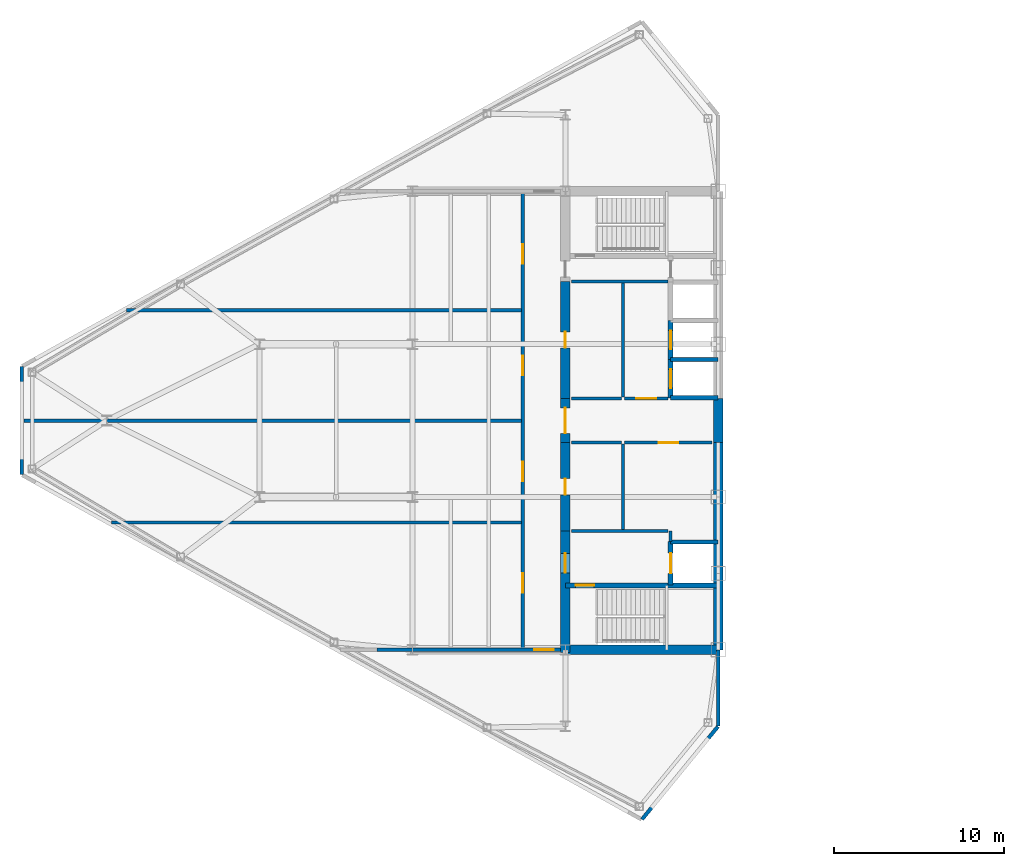
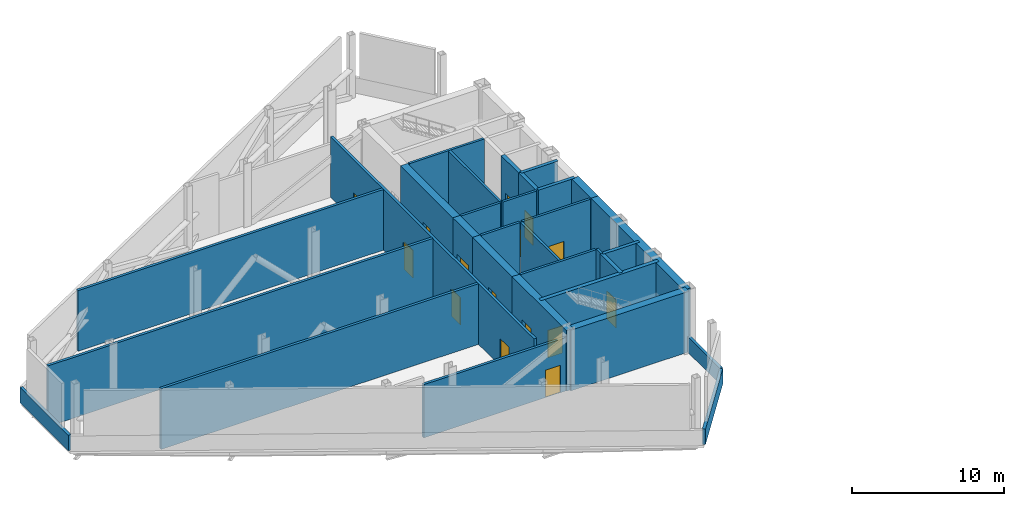
# One storey, part 6 of 11: 31 walls, 15 doors, 15 openings.
"""IFC4 building model written with IfcOpenShell, lengths in metres."""

from ifc_helpers import new_model, si_unit, direction, frame, frame_2d, origin, place, context, subcontext, project, spatial, rectangle, extrude, source, transform, mapped, material, layer, layer_set, type_object, type_shapes, element, fill, save


model = new_model("IFC4")

# Units and contexts
model_context = context("Model", 3, precision=1e-05, world=origin(), true_north=direction((0.0, 1.0)))
body_context = subcontext(model_context, "Body", "Model", "MODEL_VIEW")
ifc_project = project(units=[si_unit("LENGTHUNIT", "METRE"), si_unit("AREAUNIT", "SQUARE_METRE"), si_unit("VOLUMEUNIT", "CUBIC_METRE"), si_unit("PLANEANGLEUNIT", "RADIAN"), si_unit("MASSUNIT", "GRAM", prefix="KILO")], contexts=[model_context])

# Site, building, storey
site_placement = place(None, origin())
site = spatial("IfcSite", under=ifc_project, at=site_placement, CompositionType="ELEMENT")
building_placement = place(site_placement, origin())
building = spatial("IfcBuilding", under=site, at=building_placement, Name="Seokmaru Belvedere", CompositionType="ELEMENT")
storey_placement = place(building_placement, frame((0.0, 0.0, 162.0)))
storey = spatial("IfcBuildingStorey", under=building, at=storey_placement, Name="L43", CompositionType="ELEMENT", Elevation=162.0)

# Walls
ifc_material_1 = material(Name="Fire-Rated Gypsum Shaftwall")
ifc_layer_1 = layer(ifc_material_1, 0.179931640625)
ifc_layer_set_1 = layer_set([ifc_layer_1], Name="Fire-Rated Gypsum Shaftwall")
wall_type_1 = type_object("IfcWallType", Name="Core Service Fire Partition 180", PredefinedType="PARTITIONING", material=ifc_layer_set_1)
wall_1_placement = place(storey_placement, frame((-36.14990234375, -6.5, 0.0), z_axis=(0.0, 0.0, 1.0), x_axis=(1.0, 0.0, 0.0)))
element("IfcWall", 1, at=wall_1_placement, inside=storey, type_object=wall_type_1, Name="L43 West Firefighting Lobby Partition", PredefinedType="PARTITIONING", context=body_context, shape_type="SweptSolid", body=[
    extrude(rectangle(XDim=5.699951171875, YDim=0.179931640625, at=frame_2d((2.85009765625, 0.0))), origin(), (0.0, 0.0, 1.0), 4.8798828125),
])
wall_2_placement = place(storey_placement, frame((-30.300048828125, -7.1201171875, 0.0), z_axis=(0.0, 0.0, 1.0), x_axis=(0.0, 1.0, 0.0)))
element("IfcWall", 2, at=wall_2_placement, inside=storey, type_object=wall_type_1, Name="L43 West Firefighting Lobby East Closure Wall", PredefinedType="PARTITIONING", context=body_context, shape_type="SweptSolid", body=[
    extrude(rectangle(XDim=0.6201171875, YDim=0.179931640625, at=frame_2d((0.31005859375, 0.0))), origin(), (0.0, 0.0, 1.0), 4.8798828125),
])
wall_3_placement = place(storey_placement, frame((-36.14990234375, 8.199951171875, 0.0), z_axis=(0.0, 0.0, 1.0), x_axis=(1.0, 0.0, 0.0)))
element("IfcWall", 3, at=wall_3_placement, inside=storey, type_object=wall_type_1, Name="L43 West Smokeproof Vestibule Partition", PredefinedType="PARTITIONING", context=body_context, shape_type="SweptSolid", body=[
    extrude(rectangle(XDim=5.699951171875, YDim=0.179931640625, at=frame_2d((2.85009765625, 0.0))), origin(), (0.0, 0.0, 1.0), 4.8798828125),
])
wall_4_placement = place(storey_placement, frame((-33.10009765625, -6.419921875, 0.0), z_axis=(0.0, 0.0, 1.0), x_axis=(0.0, 1.0, 0.0)))
element("IfcWall", 4, at=wall_4_placement, inside=storey, type_object=wall_type_1, Name="L43 West South Core Service Back Wall", PredefinedType="PARTITIONING", context=body_context, shape_type="SweptSolid", body=[
    extrude(rectangle(XDim=5.0400390625, YDim=0.179931640625, at=frame_2d((2.52001953125, 0.0))), origin(), (0.0, 0.0, 1.0), 4.8798828125),
])
wall_5_placement = place(storey_placement, frame((-33.10009765625, 1.3798828125, 0.0), z_axis=(0.0, 0.0, 1.0), x_axis=(0.0, 1.0, 0.0)))
element("IfcWall", 5, at=wall_5_placement, inside=storey, type_object=wall_type_1, Name="L43 West North Core Service Back Wall", PredefinedType="PARTITIONING", context=body_context, shape_type="SweptSolid", body=[
    extrude(rectangle(XDim=6.740234375, YDim=0.179931640625, at=frame_2d((3.3701171875, 0.0))), origin(), (0.0, 0.0, 1.0), 4.8798828125),
])

# Wall, opening, door
wall_6_placement = place(storey_placement, frame((-33.02001953125, -1.300048828125, 0.0), z_axis=(0.0, 0.0, 1.0), x_axis=(1.0, 0.0, 0.0)))
wall_6 = element("IfcWall", 6, at=wall_6_placement, inside=storey, type_object=wall_type_1, Name="L43 West South Lift Lobby Foyer Wall", PredefinedType="PARTITIONING", context=body_context, shape_type="SweptSolid", body=[
    extrude(rectangle(XDim=5.169921875, YDim=0.179931640625, at=frame_2d((2.5849609375, 0.0))), origin(), (0.0, 0.0, 1.0), 4.8798828125),
])
opening_1_placement = place(wall_6_placement, frame((2.010009765625, 0.0, 0.0)))
opening_1 = element("IfcOpeningElement", 7, at=opening_1_placement, cuts=wall_6, Name="Opening D02", PredefinedType="OPENING", context=body_context, shape_type="SweptSolid", body=[
    extrude(rectangle(XDim=1.14990234375, YDim=2.199951171875, at=frame_2d((0.574951171875, 1.10009765625))), frame((0.0, 0.10009765625, 0.0), z_axis=(0.0, -1.0, 0.0), x_axis=(1.0, 0.0, 0.0)), (0.0, 0.0, 1.0), 0.199951171875),
])
ifc_material_2 = material(Name="Fire-Rated Steel Leaf", Category="steel")
door_type_1 = type_object("IfcDoorType", Name="Lobby and Vestibule Fire Door 1150x2200", OperationType="NOTDEFINED", PredefinedType="DOOR", material=ifc_material_2)
shared_shape_1 = source(origin(), body_context, "Body", "SweptSolid", [
    extrude(rectangle(XDim=1.14990234375, YDim=2.199951171875, at=frame_2d((0.574951171875, 1.10009765625))), frame((0.0, 0.02490234375, 0.0), z_axis=(0.0, -1.0, 0.0), x_axis=(1.0, 0.0, 0.0)), (0.0, 0.0, 1.0), 0.050048828125),
])
type_shapes(door_type_1, [shared_shape_1])
door_1_placement = place(opening_1_placement, origin())
door_1 = element("IfcDoor", 8, at=door_1_placement, inside=storey, type_object=door_type_1, Name="L43 West South Core Foyer Door", OperationType="SINGLE_SWING_LEFT", OverallHeight=2.199951171875, OverallWidth=1.14990234375, PredefinedType="DOOR", context=body_context, shape_type="MappedRepresentation", body=[
    mapped(shared_shape_1, transform((0.0, 0.0, 0.0), scale=1.0)),
])
fill(opening_1, door_1)

wall_7_placement = place(storey_placement, frame((-33.02001953125, 1.300048828125, 0.0), z_axis=(0.0, 0.0, 1.0), x_axis=(1.0, 0.0, 0.0)))
wall_7 = element("IfcWall", 9, at=wall_7_placement, inside=storey, type_object=wall_type_1, Name="L43 West North Lift Lobby Foyer Wall", PredefinedType="PARTITIONING", context=body_context, shape_type="SweptSolid", body=[
    extrude(rectangle(XDim=2.570068359375, YDim=0.179931640625, at=frame_2d((1.28515625, 0.0))), origin(), (0.0, 0.0, 1.0), 4.8798828125),
])
opening_2_placement = place(wall_7_placement, frame((0.7099609375, 0.0, 0.0)))
opening_2 = element("IfcOpeningElement", 10, at=opening_2_placement, cuts=wall_7, Name="Opening D02", PredefinedType="OPENING", context=body_context, shape_type="SweptSolid", body=[
    extrude(rectangle(XDim=1.14990234375, YDim=2.199951171875, at=frame_2d((0.574951171875, 1.10009765625))), frame((0.0, 0.10009765625, 0.0), z_axis=(0.0, -1.0, 0.0), x_axis=(1.0, 0.0, 0.0)), (0.0, 0.0, 1.0), 0.199951171875),
])
door_2_placement = place(opening_2_placement, origin())
door_2 = element("IfcDoor", 11, at=door_2_placement, inside=storey, type_object=door_type_1, Name="L43 West North Lift Lobby Door", OperationType="SINGLE_SWING_RIGHT", OverallHeight=2.199951171875, OverallWidth=1.14990234375, PredefinedType="DOOR", context=body_context, shape_type="MappedRepresentation", body=[
    mapped(shared_shape_1, transform((0.0, 0.0, 0.0), scale=1.0)),
])
fill(opening_2, door_2)

# Walls
for number, where, z_axis, x_axis, name in (
    (12, (-36.14990234375, -1.300048828125, 0.0), (0.0, 0.0, 1.0), (1.0, 0.0, 0.0), "L43 West Foyer Side Wall S"),
    (13, (-36.14990234375, 1.300048828125, 0.0), (0.0, 0.0, 1.0), (1.0, 0.0, 0.0), "L43 West Foyer Side Wall N"),
):
    element("IfcWall", number, at=place(storey_placement, frame(where, z_axis=z_axis, x_axis=x_axis)), inside=storey, type_object=wall_type_1, Name=name, PredefinedType="PARTITIONING", context=body_context, shape_type="SweptSolid", body=[
        extrude(rectangle(XDim=2.949951171875, YDim=0.179931640625, at=frame_2d((1.47509765625, 0.0))), origin(), (0.0, 0.0, 1.0), 4.8798828125),
    ])
ifc_material_3 = material(Name="Concrete C50 (50 MPa)", Category="concrete")
ifc_layer_2 = layer(ifc_material_3, 0.25)
ifc_layer_set_2 = layer_set([ifc_layer_2], Name="Concrete C50 (50 MPa)")
wall_type_2 = type_object("IfcWallType", Name="Hoistway Transverse Concrete Divider Wall 250", PredefinedType="SHEAR", material=ifc_layer_set_2)
for number, where, z_axis, x_axis, name in (
    (14, (-30.300048828125, -7.14990234375, 0.0), (0.0, 0.0, 1.0), (1.0, 0.0, 0.0), "L43 West Hoistway Divider Core Wall 1"),
    (15, (-30.300048828125, 1.35009765625, 0.0), (0.0, 0.0, 1.0), (1.0, 0.0, 0.0), "L43 West Hoistway Divider Core Wall 2"),
    (16, (-30.300048828125, 3.60009765625, 0.0), (0.0, 0.0, 1.0), (1.0, 0.0, 0.0), "L43 West Hoistway Divider Core Wall 3"),
):
    element("IfcWall", number, at=place(storey_placement, frame(where, z_axis=z_axis, x_axis=x_axis)), inside=storey, type_object=wall_type_2, Name=name, PredefinedType="SHEAR", context=body_context, shape_type="SweptSolid", body=[
        extrude(rectangle(XDim=2.800048828125, YDim=0.25, at=frame_2d((1.39990234375, 0.0))), origin(), (0.0, 0.0, 1.0), 4.8798828125),
    ])

# Wall, opening, door
ifc_layer_3 = layer(ifc_material_1, 0.199951171875)
ifc_layer_set_3 = layer_set([ifc_layer_3], Name="Fire-Rated Gypsum Shaftwall")
wall_type_3 = type_object("IfcWallType", Name="Inter-Tenancy Fire Compartment Partition 200", PredefinedType="PARTITIONING", material=ifc_layer_set_3)
wall_8_placement = place(storey_placement, frame((-47.58740234375, -13.5, 0.0), z_axis=(0.0, 0.0, 1.0), x_axis=(1.0, 0.0, 0.0)))
wall_8 = element("IfcWall", 17, at=wall_8_placement, inside=storey, type_object=wall_type_3, Name="L43 Interior Partition 001 Part 2", PredefinedType="PARTITIONING", context=body_context, shape_type="SweptSolid", body=[
    extrude(rectangle(XDim=10.807373046875, YDim=0.199951171875, at=frame_2d((5.40380859375, 0.0))), origin(), (0.0, 0.0, 1.0), 4.280029296875),
])
opening_3_placement = place(wall_8_placement, frame((9.26220703125, 0.0, 0.0)))
opening_3 = element("IfcOpeningElement", 18, at=opening_3_placement, cuts=wall_8, Name="Opening D02", PredefinedType="OPENING", context=body_context, shape_type="SweptSolid", body=[
    extrude(rectangle(XDim=1.14990234375, YDim=2.199951171875, at=frame_2d((0.574951171875, 1.10009765625))), frame((0.0, 0.10986328125, 0.0), z_axis=(0.0, -1.0, 0.0), x_axis=(1.0, 0.0, 0.0)), (0.0, 0.0, 1.0), 0.219970703125),
])
door_3_placement = place(opening_3_placement, origin())
door_3 = element("IfcDoor", 19, at=door_3_placement, inside=storey, type_object=door_type_1, Name="L43 Interior Door 001", OperationType="SINGLE_SWING_LEFT", OverallHeight=2.199951171875, OverallWidth=1.14990234375, PredefinedType="DOOR", context=body_context, shape_type="MappedRepresentation", body=[
    mapped(shared_shape_1, transform((0.0, 0.0, 0.0), scale=1.0)),
])
fill(opening_3, door_3)

# Walls
wall_9_placement = place(storey_placement, frame((-63.22900390625, -6.0, 0.0), z_axis=(0.0, 0.0, 1.0), x_axis=(1.0, 0.0, 0.0)))
element("IfcWall", 20, at=wall_9_placement, inside=storey, type_object=wall_type_3, Name="L43 Interior Partition 003", PredefinedType="PARTITIONING", context=body_context, shape_type="SweptSolid", body=[
    extrude(rectangle(XDim=24.14404296875, YDim=0.199951171875, at=frame_2d((12.072021484375, 0.0))), origin(), (0.0, 0.0, 1.0), 4.8798828125),
])
wall_10_placement = place(storey_placement, frame((-68.385009765625, 0.0, 0.0), z_axis=(0.0, 0.0, 1.0), x_axis=(1.0, 0.0, 0.0)))
element("IfcWall", 21, at=wall_10_placement, inside=storey, type_object=wall_type_3, Name="L43 Interior Partition 005", PredefinedType="PARTITIONING", context=body_context, shape_type="SweptSolid", body=[
    extrude(rectangle(XDim=29.300048828125, YDim=0.199951171875, at=frame_2d((14.64990234375, 0.0))), origin(), (0.0, 0.0, 1.0), 4.8798828125),
])
wall_11_placement = place(storey_placement, frame((-62.329833984375, 6.5, 0.0), z_axis=(0.0, 0.0, 1.0), x_axis=(1.0, 0.0, 0.0)))
element("IfcWall", 22, at=wall_11_placement, inside=storey, type_object=wall_type_3, Name="L43 Interior Partition 007", PredefinedType="PARTITIONING", context=body_context, shape_type="SweptSolid", body=[
    extrude(rectangle(XDim=23.244873046875, YDim=0.199951171875, at=frame_2d((11.62255859375, 0.0))), origin(), (0.0, 0.0, 1.0), 4.8798828125),
])

# Wall, openings, doors
wall_12_placement = place(storey_placement, frame((-39.0, -13.4150390625, 0.0), z_axis=(0.0, 0.0, 1.0), x_axis=(0.0, 1.0, 0.0)))
wall_12 = element("IfcWall", 23, at=wall_12_placement, inside=storey, type_object=wall_type_3, Name="L43 Interior Partition 011", PredefinedType="PARTITIONING", context=body_context, shape_type="SweptSolid", body=[
    extrude(rectangle(XDim=26.830078125, YDim=0.199951171875, at=frame_2d((13.4150390625, 0.0))), origin(), (0.0, 0.0, 1.0), 4.8798828125),
])
opening_4_placement = place(wall_12_placement, frame((3.2900390625, 0.0, 0.0)))
opening_4 = element("IfcOpeningElement", 24, at=opening_4_placement, cuts=wall_12, Name="Opening D02", PredefinedType="OPENING", context=body_context, shape_type="SweptSolid", body=[
    extrude(rectangle(XDim=1.14990234375, YDim=2.199951171875, at=frame_2d((0.574951171875, 1.10009765625))), frame((0.0, 0.10986328125, 0.0), z_axis=(0.0, -1.0, 0.0), x_axis=(1.0, 0.0, 0.0)), (0.0, 0.0, 1.0), 0.219970703125),
])
opening_5_placement = place(wall_12_placement, frame((9.840087890625, 0.0, 0.0)))
opening_5 = element("IfcOpeningElement", 25, at=opening_5_placement, cuts=wall_12, Name="Opening D02", PredefinedType="OPENING", context=body_context, shape_type="SweptSolid", body=[
    extrude(rectangle(XDim=1.14990234375, YDim=2.199951171875, at=frame_2d((0.574951171875, 1.10009765625))), frame((0.0, 0.10986328125, 0.0), z_axis=(0.0, -1.0, 0.0), x_axis=(1.0, 0.0, 0.0)), (0.0, 0.0, 1.0), 0.219970703125),
])
opening_6_placement = place(wall_12_placement, frame((16.090087890625, 0.0, 0.0)))
opening_6 = element("IfcOpeningElement", 26, at=opening_6_placement, cuts=wall_12, Name="Opening D02", PredefinedType="OPENING", context=body_context, shape_type="SweptSolid", body=[
    extrude(rectangle(XDim=1.14990234375, YDim=2.199951171875, at=frame_2d((0.574951171875, 1.10009765625))), frame((0.0, 0.10986328125, 0.0), z_axis=(0.0, -1.0, 0.0), x_axis=(1.0, 0.0, 0.0)), (0.0, 0.0, 1.0), 0.219970703125),
])
opening_7_placement = place(wall_12_placement, frame((22.639892578125, 0.0, 0.0)))
opening_7 = element("IfcOpeningElement", 27, at=opening_7_placement, cuts=wall_12, Name="Opening D02", PredefinedType="OPENING", context=body_context, shape_type="SweptSolid", body=[
    extrude(rectangle(XDim=1.14990234375, YDim=2.199951171875, at=frame_2d((0.574951171875, 1.10009765625))), frame((0.0, 0.10986328125, 0.0), z_axis=(0.0, -1.0, 0.0), x_axis=(1.0, 0.0, 0.0)), (0.0, 0.0, 1.0), 0.219970703125),
])
door_4_placement = place(opening_4_placement, origin())
door_4 = element("IfcDoor", 28, at=door_4_placement, inside=storey, type_object=door_type_1, Name="L43 Interior Door 003", OperationType="SINGLE_SWING_LEFT", OverallHeight=2.199951171875, OverallWidth=1.14990234375, PredefinedType="DOOR", context=body_context, shape_type="MappedRepresentation", body=[
    mapped(shared_shape_1, transform((0.0, 0.0, 0.0), scale=1.0)),
])
fill(opening_4, door_4)
door_5_placement = place(opening_5_placement, origin())
door_5 = element("IfcDoor", 29, at=door_5_placement, inside=storey, type_object=door_type_1, Name="L43 Interior Door 004", OperationType="SINGLE_SWING_RIGHT", OverallHeight=2.199951171875, OverallWidth=1.14990234375, PredefinedType="DOOR", context=body_context, shape_type="MappedRepresentation", body=[
    mapped(shared_shape_1, transform((0.0, 0.0, 0.0), scale=1.0)),
])
fill(opening_5, door_5)
door_6_placement = place(opening_6_placement, origin())
door_6 = element("IfcDoor", 30, at=door_6_placement, inside=storey, type_object=door_type_1, Name="L43 Interior Door 005", OperationType="SINGLE_SWING_LEFT", OverallHeight=2.199951171875, OverallWidth=1.14990234375, PredefinedType="DOOR", context=body_context, shape_type="MappedRepresentation", body=[
    mapped(shared_shape_1, transform((0.0, 0.0, 0.0), scale=1.0)),
])
fill(opening_6, door_6)
door_7_placement = place(opening_7_placement, origin())
door_7 = element("IfcDoor", 31, at=door_7_placement, inside=storey, type_object=door_type_1, Name="L43 Interior Door 006", OperationType="SINGLE_SWING_RIGHT", OverallHeight=2.199951171875, OverallWidth=1.14990234375, PredefinedType="DOOR", context=body_context, shape_type="MappedRepresentation", body=[
    mapped(shared_shape_1, transform((0.0, 0.0, 0.0), scale=1.0)),
])
fill(opening_7, door_7)

# Wall, opening, door
ifc_layer_4 = layer(ifc_material_3, 0.300048828125)
ifc_layer_set_4 = layer_set([ifc_layer_4], Name="Concrete C50 (50 MPa)")
wall_type_4 = type_object("IfcWallType", Name="Internal Core Stair and Hoistway Wall 300", PredefinedType="SHEAR", material=ifc_layer_set_4)
wall_13_placement = place(storey_placement, frame((-36.5, -9.699951171875, 0.0), z_axis=(0.0, 0.0, 1.0), x_axis=(1.0, 0.0, 0.0)))
wall_13 = element("IfcWall", 32, at=wall_13_placement, inside=storey, type_object=wall_type_4, Name="L43 West Stair ST-1 Enclosure Wall", PredefinedType="SHEAR", context=body_context, shape_type="SweptSolid", body=[
    extrude(rectangle(XDim=9.0, YDim=0.300048828125, at=frame_2d((4.5, 0.0))), origin(), (0.0, 0.0, 1.0), 4.8798828125),
])
opening_8_placement = place(wall_13_placement, frame((0.60009765625, 0.0, 0.0)))
opening_8 = element("IfcOpeningElement", 33, at=opening_8_placement, cuts=wall_13, Name="Opening D01", PredefinedType="OPENING", context=body_context, shape_type="SweptSolid", body=[
    extrude(rectangle(XDim=1.10009765625, YDim=2.199951171875, at=frame_2d((0.550048828125, 1.10009765625))), frame((0.0, 0.16015625, 0.0), z_axis=(0.0, -1.0, 0.0), x_axis=(1.0, 0.0, 0.0)), (0.0, 0.0, 1.0), 0.320068359375),
])
door_type_2 = type_object("IfcDoorType", Name="Special Escape Stair Smokeproof Fire Door 1100x2200", OperationType="NOTDEFINED", PredefinedType="DOOR", material=ifc_material_2)
shared_shape_2 = source(origin(), body_context, "Body", "SweptSolid", [
    extrude(rectangle(XDim=1.10009765625, YDim=2.199951171875, at=frame_2d((0.550048828125, 1.10009765625))), frame((0.0, 0.02490234375, 0.0), z_axis=(0.0, -1.0, 0.0), x_axis=(1.0, 0.0, 0.0)), (0.0, 0.0, 1.0), 0.050048828125),
])
type_shapes(door_type_2, [shared_shape_2])
door_8_placement = place(opening_8_placement, frame((1.10009765625, 0.0, 0.0), z_axis=(0.0, 0.0, 1.0), x_axis=(-1.0, 0.0, 0.0)))
door_8 = element("IfcDoor", 34, at=door_8_placement, inside=storey, type_object=door_type_2, Name="L43 West Special Escape Stair ST-1 Door", OperationType="SINGLE_SWING_LEFT", OverallHeight=2.199951171875, OverallWidth=1.10009765625, PredefinedType="DOOR", context=body_context, shape_type="MappedRepresentation", body=[
    mapped(shared_shape_2, transform((0.0, 0.0, 0.0), scale=1.0)),
])
fill(opening_8, door_8)

wall_14_placement = place(storey_placement, frame((-30.300048828125, -9.679931640625, 0.0), z_axis=(0.0, 0.0, 1.0), x_axis=(0.0, 1.0, 0.0)))
wall_14 = element("IfcWall", 35, at=wall_14_placement, inside=storey, type_object=wall_type_4, Name="L43 West Firefighting Lift Shaft Front Wall", PredefinedType="SHEAR", context=body_context, shape_type="SweptSolid", body=[
    extrude(rectangle(XDim=2.559814453125, YDim=0.300048828125, at=frame_2d((1.27978515625, 0.0))), origin(), (0.0, 0.0, 1.0), 4.8798828125),
])
opening_9_placement = place(wall_14_placement, frame((0.679931640625, 0.0, 0.0)))
opening_9 = element("IfcOpeningElement", 36, at=opening_9_placement, cuts=wall_14, Name="Opening LD2", PredefinedType="OPENING", context=body_context, shape_type="SweptSolid", body=[
    extrude(rectangle(XDim=1.199951171875, YDim=2.25, at=frame_2d((0.60009765625, 1.125))), frame((0.0, 0.16015625, 0.0), z_axis=(0.0, -1.0, 0.0), x_axis=(1.0, 0.0, 0.0)), (0.0, 0.0, 1.0), 0.320068359375),
])
ifc_material_4 = material(Name="Stainless Steel 316", Category="steel")
door_type_3 = type_object("IfcDoorType", Name="Firefighting Lift Sliding Landing Door 1200x2250", OperationType="DOUBLE_DOOR_SLIDING", PredefinedType="DOOR", material=ifc_material_4)
shared_shape_3 = source(origin(), body_context, "Body", "SweptSolid", [
    extrude(rectangle(XDim=1.199951171875, YDim=2.25, at=frame_2d((0.60009765625, 1.125))), frame((0.0, 0.02490234375, 0.0), z_axis=(0.0, -1.0, 0.0), x_axis=(1.0, 0.0, 0.0)), (0.0, 0.0, 1.0), 0.050048828125),
])
type_shapes(door_type_3, [shared_shape_3])
door_9_placement = place(opening_9_placement, origin())
door_9 = element("IfcDoor", 37, at=door_9_placement, inside=storey, type_object=door_type_3, Name="L43 West Firefighting Lift Landing Door", OperationType="DOUBLE_DOOR_SLIDING", OverallHeight=2.25, OverallWidth=1.199951171875, PredefinedType="DOOR", context=body_context, shape_type="MappedRepresentation", body=[
    mapped(shared_shape_3, transform((0.0, 0.0, 0.0), scale=1.0)),
])
fill(opening_9, door_9)

wall_15_placement = place(storey_placement, frame((-30.300048828125, 1.320068359375, 0.0), z_axis=(0.0, 0.0, 1.0), x_axis=(0.0, 1.0, 0.0)))
wall_15 = element("IfcWall", 38, at=wall_15_placement, inside=storey, type_object=wall_type_4, Name="L43 West North Hoistway Wall PH1", PredefinedType="SHEAR", context=body_context, shape_type="SweptSolid", body=[
    extrude(rectangle(XDim=2.280029296875, YDim=0.300048828125, at=frame_2d((1.14013671875, 0.0))), origin(), (0.0, 0.0, 1.0), 4.8798828125),
])
opening_10_placement = place(wall_15_placement, frame((0.590087890625, 0.0, 0.0)))
opening_10 = element("IfcOpeningElement", 39, at=opening_10_placement, cuts=wall_15, Name="Opening LD1", PredefinedType="OPENING", context=body_context, shape_type="SweptSolid", body=[
    extrude(rectangle(XDim=1.10009765625, YDim=2.199951171875, at=frame_2d((0.550048828125, 1.10009765625))), frame((0.0, 0.16015625, 0.0), z_axis=(0.0, -1.0, 0.0), x_axis=(1.0, 0.0, 0.0)), (0.0, 0.0, 1.0), 0.320068359375),
])
door_type_4 = type_object("IfcDoorType", Name="Passenger Lift Sliding Landing Door 1100x2200", OperationType="DOUBLE_DOOR_SLIDING", PredefinedType="DOOR", material=ifc_material_4)
shared_shape_4 = source(origin(), body_context, "Body", "SweptSolid", [
    extrude(rectangle(XDim=1.10009765625, YDim=2.199951171875, at=frame_2d((0.550048828125, 1.10009765625))), frame((0.0, 0.02490234375, 0.0), z_axis=(0.0, -1.0, 0.0), x_axis=(1.0, 0.0, 0.0)), (0.0, 0.0, 1.0), 0.050048828125),
])
type_shapes(door_type_4, [shared_shape_4])
door_10_placement = place(opening_10_placement, origin())
door_10 = element("IfcDoor", 40, at=door_10_placement, inside=storey, type_object=door_type_4, Name="L43 West High-Rise Lift PH-1 Landing Door", OperationType="DOUBLE_DOOR_SLIDING", OverallHeight=2.199951171875, OverallWidth=1.10009765625, PredefinedType="DOOR", context=body_context, shape_type="MappedRepresentation", body=[
    mapped(shared_shape_4, transform((0.0, 0.0, 0.0), scale=1.0)),
])
fill(opening_10, door_10)

wall_16_placement = place(storey_placement, frame((-30.300048828125, 3.60009765625, 0.0), z_axis=(0.0, 0.0, 1.0), x_axis=(0.0, 1.0, 0.0)))
wall_16 = element("IfcWall", 41, at=wall_16_placement, inside=storey, type_object=wall_type_4, Name="L43 West North Hoistway Wall PH2", PredefinedType="SHEAR", context=body_context, shape_type="SweptSolid", body=[
    extrude(rectangle(XDim=2.2998046875, YDim=0.300048828125, at=frame_2d((1.14990234375, 0.0))), origin(), (0.0, 0.0, 1.0), 4.8798828125),
])
opening_11_placement = place(wall_16_placement, frame((0.60009765625, 0.0, 0.0)))
opening_11 = element("IfcOpeningElement", 42, at=opening_11_placement, cuts=wall_16, Name="Opening LD1", PredefinedType="OPENING", context=body_context, shape_type="SweptSolid", body=[
    extrude(rectangle(XDim=1.10009765625, YDim=2.199951171875, at=frame_2d((0.550048828125, 1.10009765625))), frame((0.0, 0.16015625, 0.0), z_axis=(0.0, -1.0, 0.0), x_axis=(1.0, 0.0, 0.0)), (0.0, 0.0, 1.0), 0.320068359375),
])
door_11_placement = place(opening_11_placement, origin())
door_11 = element("IfcDoor", 43, at=door_11_placement, inside=storey, type_object=door_type_4, Name="L43 West High-Rise Lift PH-2 Landing Door", OperationType="DOUBLE_DOOR_SLIDING", OverallHeight=2.199951171875, OverallWidth=1.10009765625, PredefinedType="DOOR", context=body_context, shape_type="MappedRepresentation", body=[
    mapped(shared_shape_4, transform((0.0, 0.0, 0.0), scale=1.0)),
])
fill(opening_11, door_11)

# Walls
ifc_layer_5 = layer(ifc_material_3, 0.550048828125)
ifc_layer_set_5 = layer_set([ifc_layer_5], Name="Concrete C50 (50 MPa)")
wall_type_5 = type_object("IfcWallType", Name="Mid-High Reinforced Concrete Core Wall 550", PredefinedType="SHEAR", material=ifc_layer_set_5)
wall_17_placement = place(storey_placement, frame((-27.5, -13.5, 0.0), z_axis=(0.0, 0.0, 1.0), x_axis=(0.0, 1.0, 0.0)))
element("IfcWall", 44, at=wall_17_placement, inside=storey, type_object=wall_type_5, Name="L43 West Portal Spine Core Wall South", PredefinedType="SHEAR", context=body_context, shape_type="SweptSolid", body=[
    extrude(rectangle(XDim=12.199951171875, YDim=0.550048828125, at=frame_2d((6.10009765625, 0.0))), origin(), (0.0, 0.0, 1.0), 4.8798828125),
])
wall_18_placement = place(storey_placement, frame((-27.5, -1.300048828125, 0.0), z_axis=(0.0, 0.0, 1.0), x_axis=(0.0, 1.0, 0.0)))
element("IfcWall", 45, at=wall_18_placement, inside=storey, type_object=wall_type_5, Name="L43 West Portal Spine Core Wall Center", PredefinedType="SHEAR", context=body_context, shape_type="SweptSolid", body=[
    extrude(rectangle(XDim=2.60009765625, YDim=0.550048828125, at=frame_2d((1.300048828125, 0.0))), origin(), (0.0, 0.0, 1.0), 4.8798828125),
])
wall_19_placement = place(storey_placement, frame((-36.5, -13.5, 0.0), z_axis=(0.0, 0.0, 1.0), x_axis=(1.0, 0.0, 0.0)))
element("IfcWall", 46, at=wall_19_placement, inside=storey, type_object=wall_type_5, Name="L43 West South Core Wall", PredefinedType="SHEAR", context=body_context, shape_type="SweptSolid", body=[
    extrude(rectangle(XDim=9.0, YDim=0.550048828125, at=frame_2d((4.5, 0.0))), origin(), (0.0, 0.0, 1.0), 4.8798828125),
])

# Wall, opening, door
wall_20_placement = place(storey_placement, frame((-36.5, -13.64990234375, 0.0), z_axis=(0.0, 0.0, 1.0), x_axis=(0.0, 1.0, 0.0)))
wall_20 = element("IfcWall", 47, at=wall_20_placement, inside=storey, type_object=wall_type_5, Name="L43 West West Core Wall FF", PredefinedType="SHEAR", context=body_context, shape_type="SweptSolid", body=[
    extrude(rectangle(XDim=7.14990234375, YDim=0.550048828125, at=frame_2d((3.574951171875, 0.0))), origin(), (0.0, 0.0, 1.0), 4.8798828125),
])
opening_12_placement = place(wall_20_placement, frame((4.675048828125, 0.0, 0.0)))
opening_12 = element("IfcOpeningElement", 48, at=opening_12_placement, cuts=wall_20, Name="Opening D02", PredefinedType="OPENING", context=body_context, shape_type="SweptSolid", body=[
    extrude(rectangle(XDim=1.14990234375, YDim=2.199951171875, at=frame_2d((0.574951171875, 1.10009765625))), frame((0.0, 0.28515625, 0.0), z_axis=(0.0, -1.0, 0.0), x_axis=(1.0, 0.0, 0.0)), (0.0, 0.0, 1.0), 0.570068359375),
])
door_12_placement = place(opening_12_placement, frame((1.14990234375, 0.0, 0.0), z_axis=(0.0, 0.0, 1.0), x_axis=(-1.0, 0.0, 0.0)))
door_12 = element("IfcDoor", 49, at=door_12_placement, inside=storey, type_object=door_type_1, Name="L43 West Firefighting Lobby Door", OperationType="SINGLE_SWING_LEFT", OverallHeight=2.199951171875, OverallWidth=1.14990234375, PredefinedType="DOOR", context=body_context, shape_type="MappedRepresentation", body=[
    mapped(shared_shape_1, transform((0.0, 0.0, 0.0), scale=1.0)),
])
fill(opening_12, door_12)

wall_21_placement = place(storey_placement, frame((-36.5, -1.300048828125, 0.0), z_axis=(0.0, 0.0, 1.0), x_axis=(0.0, 1.0, 0.0)))
wall_21 = element("IfcWall", 50, at=wall_21_placement, inside=storey, type_object=wall_type_5, Name="L43 West West Core Wall FOY", PredefinedType="SHEAR", context=body_context, shape_type="SweptSolid", body=[
    extrude(rectangle(XDim=2.60009765625, YDim=0.550048828125, at=frame_2d((1.300048828125, 0.0))), origin(), (0.0, 0.0, 1.0), 4.8798828125),
])
opening_13_placement = place(wall_21_placement, frame((0.550048828125, 0.0, 0.0)))
opening_13 = element("IfcOpeningElement", 51, at=opening_13_placement, cuts=wall_21, Name="Opening D08", PredefinedType="OPENING", context=body_context, shape_type="SweptSolid", body=[
    extrude(rectangle(XDim=1.5, YDim=2.300048828125, at=frame_2d((0.75, 1.14990234375))), frame((0.0, 0.28515625, 0.0), z_axis=(0.0, -1.0, 0.0), x_axis=(1.0, 0.0, 0.0)), (0.0, 0.0, 1.0), 0.570068359375),
])
door_type_5 = type_object("IfcDoorType", Name="Cross-Corridor Compartment Double Fire Door 1500x2300", OperationType="DOUBLE_SWING_LEFT", PredefinedType="DOOR", material=ifc_material_2)
shared_shape_5 = source(origin(), body_context, "Body", "SweptSolid", [
    extrude(rectangle(XDim=1.5, YDim=2.300048828125, at=frame_2d((0.75, 1.14990234375))), frame((0.0, 0.02490234375, 0.0), z_axis=(0.0, -1.0, 0.0), x_axis=(1.0, 0.0, 0.0)), (0.0, 0.0, 1.0), 0.050048828125),
])
type_shapes(door_type_5, [shared_shape_5])
door_13_placement = place(opening_13_placement, origin())
door_13 = element("IfcDoor", 52, at=door_13_placement, inside=storey, type_object=door_type_5, Name="L43 West Core Foyer Compartment Door", OperationType="DOUBLE_SWING_LEFT", OverallHeight=2.300048828125, OverallWidth=1.5, PredefinedType="DOOR", context=body_context, shape_type="MappedRepresentation", body=[
    mapped(shared_shape_5, transform((0.0, 0.0, 0.0), scale=1.0)),
])
fill(opening_13, door_13)

wall_22_placement = place(storey_placement, frame((-36.5, -6.5, 0.0), z_axis=(0.0, 0.0, 1.0), x_axis=(0.0, 1.0, 0.0)))
wall_22 = element("IfcWall", 53, at=wall_22_placement, inside=storey, type_object=wall_type_5, Name="L43 West West Core Wall CS1", PredefinedType="SHEAR", context=body_context, shape_type="SweptSolid", body=[
    extrude(rectangle(XDim=5.199951171875, YDim=0.550048828125, at=frame_2d((2.60009765625, 0.0))), origin(), (0.0, 0.0, 1.0), 4.8798828125),
])
opening_14_placement = place(wall_22_placement, frame((2.125, 0.0, 0.0)))
opening_14 = element("IfcOpeningElement", 54, at=opening_14_placement, cuts=wall_22, Name="Opening D04", PredefinedType="OPENING", context=body_context, shape_type="SweptSolid", body=[
    extrude(rectangle(XDim=0.949951171875, YDim=2.14990234375, at=frame_2d((0.47509765625, 1.074951171875))), frame((0.0, 0.28515625, 0.0), z_axis=(0.0, -1.0, 0.0), x_axis=(1.0, 0.0, 0.0)), (0.0, 0.0, 1.0), 0.570068359375),
])
door_type_6 = type_object("IfcDoorType", Name="Core Service Room Fire Door 950x2150", OperationType="NOTDEFINED", PredefinedType="DOOR", material=ifc_material_2)
shared_shape_6 = source(origin(), body_context, "Body", "SweptSolid", [
    extrude(rectangle(XDim=0.949951171875, YDim=2.14990234375, at=frame_2d((0.47509765625, 1.074951171875))), frame((0.0, 0.02490234375, 0.0), z_axis=(0.0, -1.0, 0.0), x_axis=(1.0, 0.0, 0.0)), (0.0, 0.0, 1.0), 0.050048828125),
])
type_shapes(door_type_6, [shared_shape_6])
door_14_placement = place(opening_14_placement, origin())
door_14 = element("IfcDoor", 55, at=door_14_placement, inside=storey, type_object=door_type_6, Name="L43 West Core Service Room Door 1", OperationType="SINGLE_SWING_LEFT", OverallHeight=2.14990234375, OverallWidth=0.949951171875, PredefinedType="DOOR", context=body_context, shape_type="MappedRepresentation", body=[
    mapped(shared_shape_6, transform((0.0, 0.0, 0.0), scale=1.0)),
])
fill(opening_14, door_14)

wall_23_placement = place(storey_placement, frame((-36.5, 1.300048828125, 0.0), z_axis=(0.0, 0.0, 1.0), x_axis=(0.0, 1.0, 0.0)))
wall_23 = element("IfcWall", 56, at=wall_23_placement, inside=storey, type_object=wall_type_5, Name="L43 West West Core Wall CS2", PredefinedType="SHEAR", context=body_context, shape_type="SweptSolid", body=[
    extrude(rectangle(XDim=6.89990234375, YDim=0.550048828125, at=frame_2d((3.449951171875, 0.0))), origin(), (0.0, 0.0, 1.0), 4.8798828125),
])
opening_15_placement = place(wall_23_placement, frame((2.97509765625, 0.0, 0.0)))
opening_15 = element("IfcOpeningElement", 57, at=opening_15_placement, cuts=wall_23, Name="Opening D04", PredefinedType="OPENING", context=body_context, shape_type="SweptSolid", body=[
    extrude(rectangle(XDim=0.949951171875, YDim=2.14990234375, at=frame_2d((0.47509765625, 1.074951171875))), frame((0.0, 0.28515625, 0.0), z_axis=(0.0, -1.0, 0.0), x_axis=(1.0, 0.0, 0.0)), (0.0, 0.0, 1.0), 0.570068359375),
])
door_15_placement = place(opening_15_placement, origin())
door_15 = element("IfcDoor", 58, at=door_15_placement, inside=storey, type_object=door_type_6, Name="L43 West Core Service Room Door 2", OperationType="SINGLE_SWING_RIGHT", OverallHeight=2.14990234375, OverallWidth=0.949951171875, PredefinedType="DOOR", context=body_context, shape_type="MappedRepresentation", body=[
    mapped(shared_shape_6, transform((0.0, 0.0, 0.0), scale=1.0)),
])
fill(opening_15, door_15)

# Walls
ifc_material_5 = material(Name="Concrete C40 (40 MPa)", Category="concrete")
ifc_layer_6 = layer(ifc_material_5, 0.219970703125)
ifc_layer_set_6 = layer_set([ifc_layer_6], Name="Concrete C40 (40 MPa)")
wall_type_6 = type_object("IfcWallType", Name="Refuge and Roof Concrete Parapet 220", PredefinedType="PARAPET", material=ifc_layer_set_6)
wall_24_placement = place(storey_placement, frame((-27.5, -17.97998046875, 0.0), z_axis=(0.0, 0.0, 1.0), x_axis=(0.0, 1.0, 0.0)))
element("IfcWall", 59, at=wall_24_placement, inside=storey, type_object=wall_type_6, Name="L43 W Refuge Spine Shoulder Parapet 1", PredefinedType="PARAPET", context=body_context, shape_type="SweptSolid", body=[
    extrude(rectangle(XDim=4.4599609375, YDim=0.219970703125, at=frame_2d((2.22998046875, 0.0))), origin(), (0.0, 0.0, 1.0), 1.25),
])
wall_25_placement = place(storey_placement, frame((-68.5, 3.179931640625, 0.0), z_axis=(0.0, 0.0, 1.0), x_axis=(0.0, -1.0, 0.0)))
element("IfcWall", 60, at=wall_25_placement, inside=storey, type_object=wall_type_6, Name="L43 W Refuge Perimeter Parapet 4", PredefinedType="PARAPET", context=body_context, shape_type="SweptSolid", body=[
    extrude(rectangle(XDim=6.35986328125, YDim=0.219970703125, at=frame_2d((3.179931640625, 0.0))), origin(), (0.0, 0.0, 1.0), 1.25),
])
wall_26_placement = place(storey_placement, frame((-31.9873046875, -23.484619140625, 0.0), z_axis=(0.0, 0.0, 1.0), x_axis=(0.633218976113, 0.773972692213, 0.0)))
element("IfcWall", 61, at=wall_26_placement, inside=storey, type_object=wall_type_6, Name="L43 W Refuge Perimeter Parapet 6", PredefinedType="PARAPET", context=body_context, shape_type="SweptSolid", body=[
    extrude(rectangle(XDim=7.06640625, YDim=0.219970703125, at=frame_2d((3.533203125, 0.0))), origin(), (0.0, 0.0, 1.0), 1.25),
])

save(model, "model.ifc")
